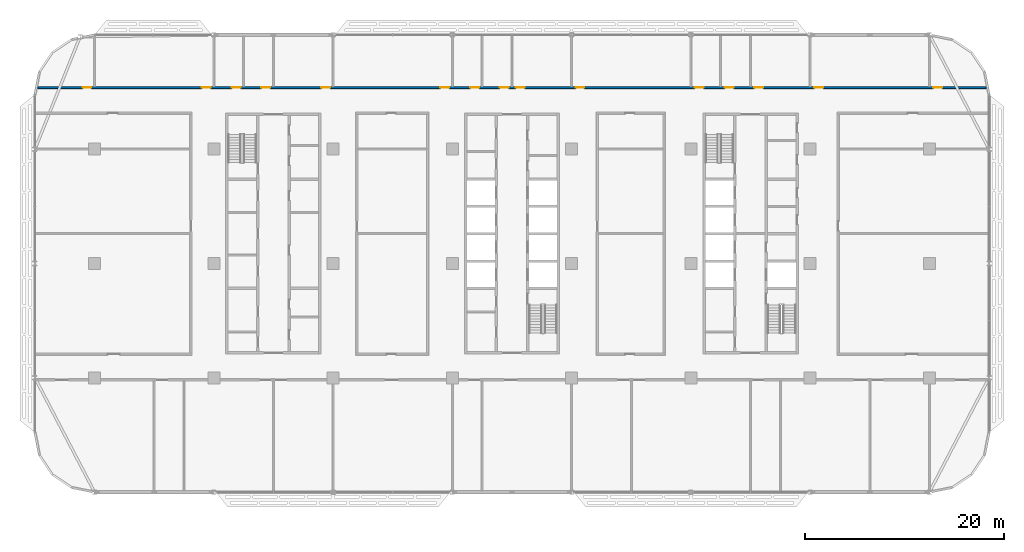
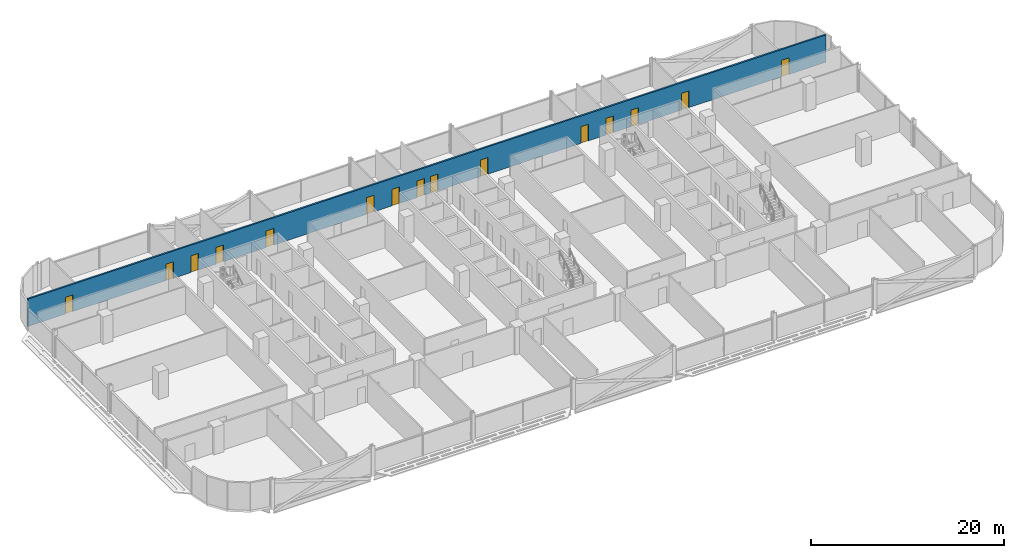
# One storey, part 14 of 27: 15 doors, 1 wall, 15 openings.
"""IFC4 building model written with IfcOpenShell, lengths in metres."""

from ifc_helpers import new_model, si_unit, direction, frame, frame_2d, origin, place, context, subcontext, project, spatial, rectangle, extrude, material, layer, layer_set, type_object, element, fill, save


model = new_model("IFC4")

# Units and contexts
model_context = context("Model", 3, precision=1e-05, world=origin(), true_north=direction((0.0, 1.0)))
body_context = subcontext(model_context, "Body", "Model", "MODEL_VIEW")
ifc_project = project(units=[si_unit("LENGTHUNIT", "METRE"), si_unit("AREAUNIT", "SQUARE_METRE"), si_unit("VOLUMEUNIT", "CUBIC_METRE"), si_unit("PLANEANGLEUNIT", "RADIAN"), si_unit("MASSUNIT", "GRAM", prefix="KILO")], contexts=[model_context])

# Site, building, storey
site_placement = place(None, origin())
site = spatial("IfcSite", under=ifc_project, at=site_placement, CompositionType="ELEMENT")
building_placement = place(site_placement, origin())
building = spatial("IfcBuilding", under=site, at=building_placement, Name="Mahtab Terrace Research Tower", CompositionType="ELEMENT")
storey_placement = place(building_placement, frame((0.0, 0.0, 170.60009765625)))
storey = spatial("IfcBuildingStorey", under=building, at=storey_placement, Name="L40", CompositionType="ELEMENT", Elevation=170.60009765625)

# Wall, openings, doors
ifc_material_1 = material(Name="Gypsum board corridor wall on steel studs", Category="steel")
ifc_layer = layer(ifc_material_1, 0.199951171875)
ifc_layer_set = layer_set([ifc_layer], Name="WALL CORRIDOR 200")
wall_type = type_object("IfcWallType", Name="WALL CORRIDOR 200", PredefinedType="PARTITIONING", material=ifc_layer_set)
wall_placement = place(storey_placement, frame((-47.707763671875, 17.699951171875, 0.0), z_axis=(0.0, 0.0, 1.0), x_axis=(1.0, 0.0, 0.0)))
wall = element("IfcWall", 1, at=wall_placement, inside=storey, type_object=wall_type, Name="L40-W028", PredefinedType="PARTITIONING", context=body_context, shape_type="SweptSolid", body=[
    extrude(rectangle(XDim=95.41552734375, YDim=0.199951171875, at=frame_2d((47.707763671875, 0.0))), origin(), (0.0, 0.0, 1.0), 3.4599609375),
])
opening_1_placement = place(wall_placement, frame((4.5, 0.0, 0.0)))
opening_1 = element("IfcOpeningElement", 2, at=opening_1_placement, cuts=wall, Name="Opening L40-126", PredefinedType="OPENING", context=body_context, shape_type="SweptSolid", body=[
    extrude(rectangle(XDim=0.89990234375, YDim=2.10009765625, at=frame_2d((0.449951171875, 1.050048828125))), frame((0.0, 0.10986328125, 0.0), z_axis=(0.0, -1.0, 0.0), x_axis=(1.0, 0.0, 0.0)), (0.0, 0.0, 1.0), 0.219970703125),
])
opening_2_placement = place(wall_placement, frame((16.5, 0.0, 0.0)))
opening_2 = element("IfcOpeningElement", 3, at=opening_2_placement, cuts=wall, Name="Opening L40-127", PredefinedType="OPENING", context=body_context, shape_type="SweptSolid", body=[
    extrude(rectangle(XDim=0.89990234375, YDim=2.10009765625, at=frame_2d((0.449951171875, 1.050048828125))), frame((0.0, 0.10986328125, 0.0), z_axis=(0.0, -1.0, 0.0), x_axis=(1.0, 0.0, 0.0)), (0.0, 0.0, 1.0), 0.219970703125),
])
opening_3_placement = place(wall_placement, frame((19.5, 0.0, 0.0)))
opening_3 = element("IfcOpeningElement", 4, at=opening_3_placement, cuts=wall, Name="Opening L40-128", PredefinedType="OPENING", context=body_context, shape_type="SweptSolid", body=[
    extrude(rectangle(XDim=0.89990234375, YDim=2.10009765625, at=frame_2d((0.449951171875, 1.050048828125))), frame((0.0, 0.10986328125, 0.0), z_axis=(0.0, -1.0, 0.0), x_axis=(1.0, 0.0, 0.0)), (0.0, 0.0, 1.0), 0.219970703125),
])
opening_4_placement = place(wall_placement, frame((22.5, 0.0, 0.0)))
opening_4 = element("IfcOpeningElement", 5, at=opening_4_placement, cuts=wall, Name="Opening L40-129", PredefinedType="OPENING", context=body_context, shape_type="SweptSolid", body=[
    extrude(rectangle(XDim=0.89990234375, YDim=2.10009765625, at=frame_2d((0.449951171875, 1.050048828125))), frame((0.0, 0.10986328125, 0.0), z_axis=(0.0, -1.0, 0.0), x_axis=(1.0, 0.0, 0.0)), (0.0, 0.0, 1.0), 0.219970703125),
])
opening_5_placement = place(wall_placement, frame((28.5, 0.0, 0.0)))
opening_5 = element("IfcOpeningElement", 6, at=opening_5_placement, cuts=wall, Name="Opening L40-130", PredefinedType="OPENING", context=body_context, shape_type="SweptSolid", body=[
    extrude(rectangle(XDim=0.89990234375, YDim=2.10009765625, at=frame_2d((0.449951171875, 1.050048828125))), frame((0.0, 0.10986328125, 0.0), z_axis=(0.0, -1.0, 0.0), x_axis=(1.0, 0.0, 0.0)), (0.0, 0.0, 1.0), 0.219970703125),
])
opening_6_placement = place(wall_placement, frame((40.5, 0.0, 0.0)))
opening_6 = element("IfcOpeningElement", 7, at=opening_6_placement, cuts=wall, Name="Opening L40-131", PredefinedType="OPENING", context=body_context, shape_type="SweptSolid", body=[
    extrude(rectangle(XDim=0.89990234375, YDim=2.10009765625, at=frame_2d((0.449951171875, 1.050048828125))), frame((0.0, 0.10986328125, 0.0), z_axis=(0.0, -1.0, 0.0), x_axis=(1.0, 0.0, 0.0)), (0.0, 0.0, 1.0), 0.219970703125),
])
opening_7_placement = place(wall_placement, frame((43.5, 0.0, 0.0)))
opening_7 = element("IfcOpeningElement", 8, at=opening_7_placement, cuts=wall, Name="Opening L40-132", PredefinedType="OPENING", context=body_context, shape_type="SweptSolid", body=[
    extrude(rectangle(XDim=0.89990234375, YDim=2.10009765625, at=frame_2d((0.449951171875, 1.050048828125))), frame((0.0, 0.10986328125, 0.0), z_axis=(0.0, -1.0, 0.0), x_axis=(1.0, 0.0, 0.0)), (0.0, 0.0, 1.0), 0.219970703125),
])
opening_8_placement = place(wall_placement, frame((46.5, 0.0, 0.0)))
opening_8 = element("IfcOpeningElement", 9, at=opening_8_placement, cuts=wall, Name="Opening L40-133", PredefinedType="OPENING", context=body_context, shape_type="SweptSolid", body=[
    extrude(rectangle(XDim=0.89990234375, YDim=2.10009765625, at=frame_2d((0.449951171875, 1.050048828125))), frame((0.0, 0.10986328125, 0.0), z_axis=(0.0, -1.0, 0.0), x_axis=(1.0, 0.0, 0.0)), (0.0, 0.0, 1.0), 0.219970703125),
])
opening_9_placement = place(wall_placement, frame((48.10009765625, 0.0, 0.0)))
opening_9 = element("IfcOpeningElement", 10, at=opening_9_placement, cuts=wall, Name="Opening L40-134", PredefinedType="OPENING", context=body_context, shape_type="SweptSolid", body=[
    extrude(rectangle(XDim=0.89990234375, YDim=2.10009765625, at=frame_2d((0.449951171875, 1.050048828125))), frame((0.0, 0.10986328125, 0.0), z_axis=(0.0, -1.0, 0.0), x_axis=(1.0, 0.0, 0.0)), (0.0, 0.0, 1.0), 0.219970703125),
])
opening_10_placement = place(wall_placement, frame((54.10009765625, 0.0, 0.0)))
opening_10 = element("IfcOpeningElement", 11, at=opening_10_placement, cuts=wall, Name="Opening L40-135", PredefinedType="OPENING", context=body_context, shape_type="SweptSolid", body=[
    extrude(rectangle(XDim=0.89990234375, YDim=2.10009765625, at=frame_2d((0.449951171875, 1.050048828125))), frame((0.0, 0.10986328125, 0.0), z_axis=(0.0, -1.0, 0.0), x_axis=(1.0, 0.0, 0.0)), (0.0, 0.0, 1.0), 0.219970703125),
])
opening_11_placement = place(wall_placement, frame((66.10009765625, 0.0, 0.0)))
opening_11 = element("IfcOpeningElement", 12, at=opening_11_placement, cuts=wall, Name="Opening L40-136", PredefinedType="OPENING", context=body_context, shape_type="SweptSolid", body=[
    extrude(rectangle(XDim=0.89990234375, YDim=2.10009765625, at=frame_2d((0.449951171875, 1.050048828125))), frame((0.0, 0.10986328125, 0.0), z_axis=(0.0, -1.0, 0.0), x_axis=(1.0, 0.0, 0.0)), (0.0, 0.0, 1.0), 0.219970703125),
])
opening_12_placement = place(wall_placement, frame((69.10009765625, 0.0, 0.0)))
opening_12 = element("IfcOpeningElement", 13, at=opening_12_placement, cuts=wall, Name="Opening L40-137", PredefinedType="OPENING", context=body_context, shape_type="SweptSolid", body=[
    extrude(rectangle(XDim=0.89990234375, YDim=2.10009765625, at=frame_2d((0.449951171875, 1.050048828125))), frame((0.0, 0.10986328125, 0.0), z_axis=(0.0, -1.0, 0.0), x_axis=(1.0, 0.0, 0.0)), (0.0, 0.0, 1.0), 0.219970703125),
])
opening_13_placement = place(wall_placement, frame((72.10009765625, 0.0, 0.0)))
opening_13 = element("IfcOpeningElement", 14, at=opening_13_placement, cuts=wall, Name="Opening L40-138", PredefinedType="OPENING", context=body_context, shape_type="SweptSolid", body=[
    extrude(rectangle(XDim=0.89990234375, YDim=2.10009765625, at=frame_2d((0.449951171875, 1.050048828125))), frame((0.0, 0.10986328125, 0.0), z_axis=(0.0, -1.0, 0.0), x_axis=(1.0, 0.0, 0.0)), (0.0, 0.0, 1.0), 0.219970703125),
])
opening_14_placement = place(wall_placement, frame((78.10009765625, 0.0, 0.0)))
opening_14 = element("IfcOpeningElement", 15, at=opening_14_placement, cuts=wall, Name="Opening L40-139", PredefinedType="OPENING", context=body_context, shape_type="SweptSolid", body=[
    extrude(rectangle(XDim=0.89990234375, YDim=2.10009765625, at=frame_2d((0.449951171875, 1.050048828125))), frame((0.0, 0.10986328125, 0.0), z_axis=(0.0, -1.0, 0.0), x_axis=(1.0, 0.0, 0.0)), (0.0, 0.0, 1.0), 0.219970703125),
])
opening_15_placement = place(wall_placement, frame((90.10009765625, 0.0, 0.0)))
opening_15 = element("IfcOpeningElement", 16, at=opening_15_placement, cuts=wall, Name="Opening L40-140", PredefinedType="OPENING", context=body_context, shape_type="SweptSolid", body=[
    extrude(rectangle(XDim=0.89990234375, YDim=2.10009765625, at=frame_2d((0.449951171875, 1.050048828125))), frame((0.0, 0.10986328125, 0.0), z_axis=(0.0, -1.0, 0.0), x_axis=(1.0, 0.0, 0.0)), (0.0, 0.0, 1.0), 0.219970703125),
])
ifc_material_2 = material(Name="Timber door leaf in steel frame", Category="steel")
door_type = type_object("IfcDoorType", Name="DOOR 0900X2100 FD30S", OperationType="SINGLE_SWING_LEFT", PredefinedType="DOOR", material=ifc_material_2)
door_1_placement = place(opening_1_placement, origin())
door_1 = element("IfcDoor", 17, at=door_1_placement, inside=storey, type_object=door_type, Name="Door L40-126", OperationType="SINGLE_SWING_LEFT", OverallHeight=2.10009765625, OverallWidth=0.89990234375, PredefinedType="DOOR", context=body_context, shape_type="SweptSolid", body=[
    extrude(rectangle(XDim=0.89990234375, YDim=2.10009765625, at=frame_2d((0.449951171875, 1.050048828125))), frame((0.0, 0.02490234375, 0.0), z_axis=(0.0, -1.0, 0.0), x_axis=(1.0, 0.0, 0.0)), (0.0, 0.0, 1.0), 0.050048828125),
])
fill(opening_1, door_1)
door_2_placement = place(opening_2_placement, origin())
door_2 = element("IfcDoor", 18, at=door_2_placement, inside=storey, type_object=door_type, Name="Door L40-127", OperationType="SINGLE_SWING_LEFT", OverallHeight=2.10009765625, OverallWidth=0.89990234375, PredefinedType="DOOR", context=body_context, shape_type="SweptSolid", body=[
    extrude(rectangle(XDim=0.89990234375, YDim=2.10009765625, at=frame_2d((0.449951171875, 1.050048828125))), frame((0.0, 0.02490234375, 0.0), z_axis=(0.0, -1.0, 0.0), x_axis=(1.0, 0.0, 0.0)), (0.0, 0.0, 1.0), 0.050048828125),
])
fill(opening_2, door_2)
door_3_placement = place(opening_3_placement, origin())
door_3 = element("IfcDoor", 19, at=door_3_placement, inside=storey, type_object=door_type, Name="Door L40-128", OperationType="SINGLE_SWING_LEFT", OverallHeight=2.10009765625, OverallWidth=0.89990234375, PredefinedType="DOOR", context=body_context, shape_type="SweptSolid", body=[
    extrude(rectangle(XDim=0.89990234375, YDim=2.10009765625, at=frame_2d((0.449951171875, 1.050048828125))), frame((0.0, 0.02490234375, 0.0), z_axis=(0.0, -1.0, 0.0), x_axis=(1.0, 0.0, 0.0)), (0.0, 0.0, 1.0), 0.050048828125),
])
fill(opening_3, door_3)
door_4_placement = place(opening_4_placement, origin())
door_4 = element("IfcDoor", 20, at=door_4_placement, inside=storey, type_object=door_type, Name="Door L40-129", OperationType="SINGLE_SWING_LEFT", OverallHeight=2.10009765625, OverallWidth=0.89990234375, PredefinedType="DOOR", context=body_context, shape_type="SweptSolid", body=[
    extrude(rectangle(XDim=0.89990234375, YDim=2.10009765625, at=frame_2d((0.449951171875, 1.050048828125))), frame((0.0, 0.02490234375, 0.0), z_axis=(0.0, -1.0, 0.0), x_axis=(1.0, 0.0, 0.0)), (0.0, 0.0, 1.0), 0.050048828125),
])
fill(opening_4, door_4)
door_5_placement = place(opening_5_placement, origin())
door_5 = element("IfcDoor", 21, at=door_5_placement, inside=storey, type_object=door_type, Name="Door L40-130", OperationType="SINGLE_SWING_LEFT", OverallHeight=2.10009765625, OverallWidth=0.89990234375, PredefinedType="DOOR", context=body_context, shape_type="SweptSolid", body=[
    extrude(rectangle(XDim=0.89990234375, YDim=2.10009765625, at=frame_2d((0.449951171875, 1.050048828125))), frame((0.0, 0.02490234375, 0.0), z_axis=(0.0, -1.0, 0.0), x_axis=(1.0, 0.0, 0.0)), (0.0, 0.0, 1.0), 0.050048828125),
])
fill(opening_5, door_5)
door_6_placement = place(opening_6_placement, origin())
door_6 = element("IfcDoor", 22, at=door_6_placement, inside=storey, type_object=door_type, Name="Door L40-131", OperationType="SINGLE_SWING_LEFT", OverallHeight=2.10009765625, OverallWidth=0.89990234375, PredefinedType="DOOR", context=body_context, shape_type="SweptSolid", body=[
    extrude(rectangle(XDim=0.89990234375, YDim=2.10009765625, at=frame_2d((0.449951171875, 1.050048828125))), frame((0.0, 0.02490234375, 0.0), z_axis=(0.0, -1.0, 0.0), x_axis=(1.0, 0.0, 0.0)), (0.0, 0.0, 1.0), 0.050048828125),
])
fill(opening_6, door_6)
door_7_placement = place(opening_7_placement, origin())
door_7 = element("IfcDoor", 23, at=door_7_placement, inside=storey, type_object=door_type, Name="Door L40-132", OperationType="SINGLE_SWING_LEFT", OverallHeight=2.10009765625, OverallWidth=0.89990234375, PredefinedType="DOOR", context=body_context, shape_type="SweptSolid", body=[
    extrude(rectangle(XDim=0.89990234375, YDim=2.10009765625, at=frame_2d((0.449951171875, 1.050048828125))), frame((0.0, 0.02490234375, 0.0), z_axis=(0.0, -1.0, 0.0), x_axis=(1.0, 0.0, 0.0)), (0.0, 0.0, 1.0), 0.050048828125),
])
fill(opening_7, door_7)
door_8_placement = place(opening_8_placement, origin())
door_8 = element("IfcDoor", 24, at=door_8_placement, inside=storey, type_object=door_type, Name="Door L40-133", OperationType="SINGLE_SWING_LEFT", OverallHeight=2.10009765625, OverallWidth=0.89990234375, PredefinedType="DOOR", context=body_context, shape_type="SweptSolid", body=[
    extrude(rectangle(XDim=0.89990234375, YDim=2.10009765625, at=frame_2d((0.449951171875, 1.050048828125))), frame((0.0, 0.02490234375, 0.0), z_axis=(0.0, -1.0, 0.0), x_axis=(1.0, 0.0, 0.0)), (0.0, 0.0, 1.0), 0.050048828125),
])
fill(opening_8, door_8)
door_9_placement = place(opening_9_placement, origin())
door_9 = element("IfcDoor", 25, at=door_9_placement, inside=storey, type_object=door_type, Name="Door L40-134", OperationType="SINGLE_SWING_RIGHT", OverallHeight=2.10009765625, OverallWidth=0.89990234375, PredefinedType="DOOR", context=body_context, shape_type="SweptSolid", body=[
    extrude(rectangle(XDim=0.89990234375, YDim=2.10009765625, at=frame_2d((0.449951171875, 1.050048828125))), frame((0.0, 0.02490234375, 0.0), z_axis=(0.0, -1.0, 0.0), x_axis=(1.0, 0.0, 0.0)), (0.0, 0.0, 1.0), 0.050048828125),
])
fill(opening_9, door_9)
door_10_placement = place(opening_10_placement, origin())
door_10 = element("IfcDoor", 26, at=door_10_placement, inside=storey, type_object=door_type, Name="Door L40-135", OperationType="SINGLE_SWING_RIGHT", OverallHeight=2.10009765625, OverallWidth=0.89990234375, PredefinedType="DOOR", context=body_context, shape_type="SweptSolid", body=[
    extrude(rectangle(XDim=0.89990234375, YDim=2.10009765625, at=frame_2d((0.449951171875, 1.050048828125))), frame((0.0, 0.02490234375, 0.0), z_axis=(0.0, -1.0, 0.0), x_axis=(1.0, 0.0, 0.0)), (0.0, 0.0, 1.0), 0.050048828125),
])
fill(opening_10, door_10)
door_11_placement = place(opening_11_placement, origin())
door_11 = element("IfcDoor", 27, at=door_11_placement, inside=storey, type_object=door_type, Name="Door L40-136", OperationType="SINGLE_SWING_RIGHT", OverallHeight=2.10009765625, OverallWidth=0.89990234375, PredefinedType="DOOR", context=body_context, shape_type="SweptSolid", body=[
    extrude(rectangle(XDim=0.89990234375, YDim=2.10009765625, at=frame_2d((0.449951171875, 1.050048828125))), frame((0.0, 0.02490234375, 0.0), z_axis=(0.0, -1.0, 0.0), x_axis=(1.0, 0.0, 0.0)), (0.0, 0.0, 1.0), 0.050048828125),
])
fill(opening_11, door_11)
door_12_placement = place(opening_12_placement, origin())
door_12 = element("IfcDoor", 28, at=door_12_placement, inside=storey, type_object=door_type, Name="Door L40-137", OperationType="SINGLE_SWING_RIGHT", OverallHeight=2.10009765625, OverallWidth=0.89990234375, PredefinedType="DOOR", context=body_context, shape_type="SweptSolid", body=[
    extrude(rectangle(XDim=0.89990234375, YDim=2.10009765625, at=frame_2d((0.449951171875, 1.050048828125))), frame((0.0, 0.02490234375, 0.0), z_axis=(0.0, -1.0, 0.0), x_axis=(1.0, 0.0, 0.0)), (0.0, 0.0, 1.0), 0.050048828125),
])
fill(opening_12, door_12)
door_13_placement = place(opening_13_placement, origin())
door_13 = element("IfcDoor", 29, at=door_13_placement, inside=storey, type_object=door_type, Name="Door L40-138", OperationType="SINGLE_SWING_RIGHT", OverallHeight=2.10009765625, OverallWidth=0.89990234375, PredefinedType="DOOR", context=body_context, shape_type="SweptSolid", body=[
    extrude(rectangle(XDim=0.89990234375, YDim=2.10009765625, at=frame_2d((0.449951171875, 1.050048828125))), frame((0.0, 0.02490234375, 0.0), z_axis=(0.0, -1.0, 0.0), x_axis=(1.0, 0.0, 0.0)), (0.0, 0.0, 1.0), 0.050048828125),
])
fill(opening_13, door_13)
door_14_placement = place(opening_14_placement, origin())
door_14 = element("IfcDoor", 30, at=door_14_placement, inside=storey, type_object=door_type, Name="Door L40-139", OperationType="SINGLE_SWING_RIGHT", OverallHeight=2.10009765625, OverallWidth=0.89990234375, PredefinedType="DOOR", context=body_context, shape_type="SweptSolid", body=[
    extrude(rectangle(XDim=0.89990234375, YDim=2.10009765625, at=frame_2d((0.449951171875, 1.050048828125))), frame((0.0, 0.02490234375, 0.0), z_axis=(0.0, -1.0, 0.0), x_axis=(1.0, 0.0, 0.0)), (0.0, 0.0, 1.0), 0.050048828125),
])
fill(opening_14, door_14)
door_15_placement = place(opening_15_placement, origin())
door_15 = element("IfcDoor", 31, at=door_15_placement, inside=storey, type_object=door_type, Name="Door L40-140", OperationType="SINGLE_SWING_RIGHT", OverallHeight=2.10009765625, OverallWidth=0.89990234375, PredefinedType="DOOR", context=body_context, shape_type="SweptSolid", body=[
    extrude(rectangle(XDim=0.89990234375, YDim=2.10009765625, at=frame_2d((0.449951171875, 1.050048828125))), frame((0.0, 0.02490234375, 0.0), z_axis=(0.0, -1.0, 0.0), x_axis=(1.0, 0.0, 0.0)), (0.0, 0.0, 1.0), 0.050048828125),
])
fill(opening_15, door_15)

save(model, "model.ifc")
